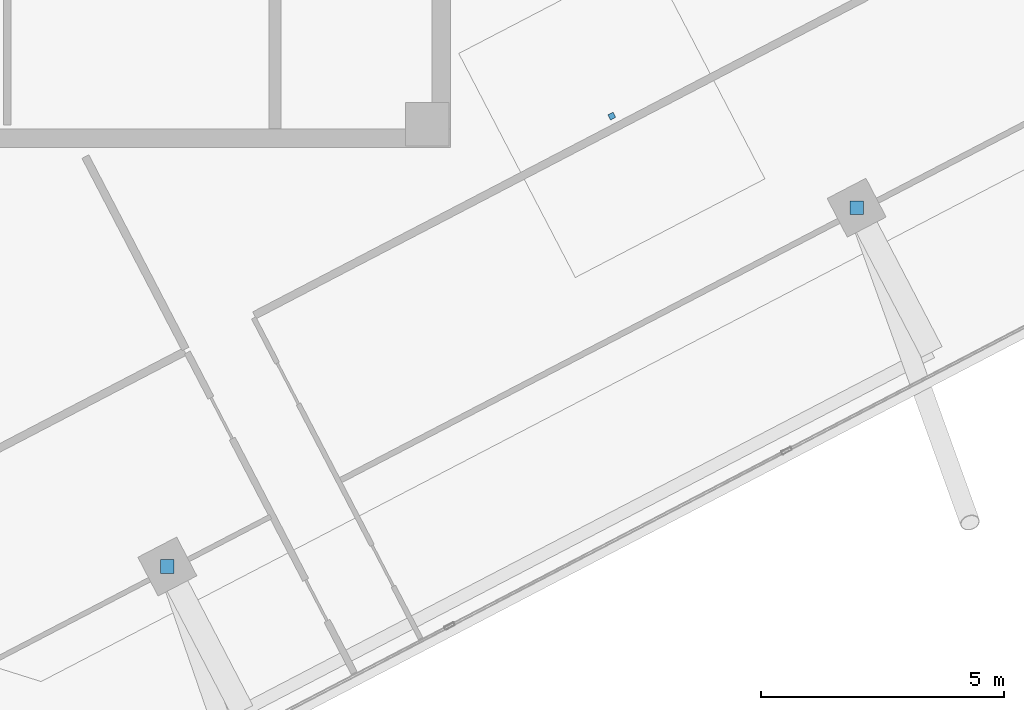
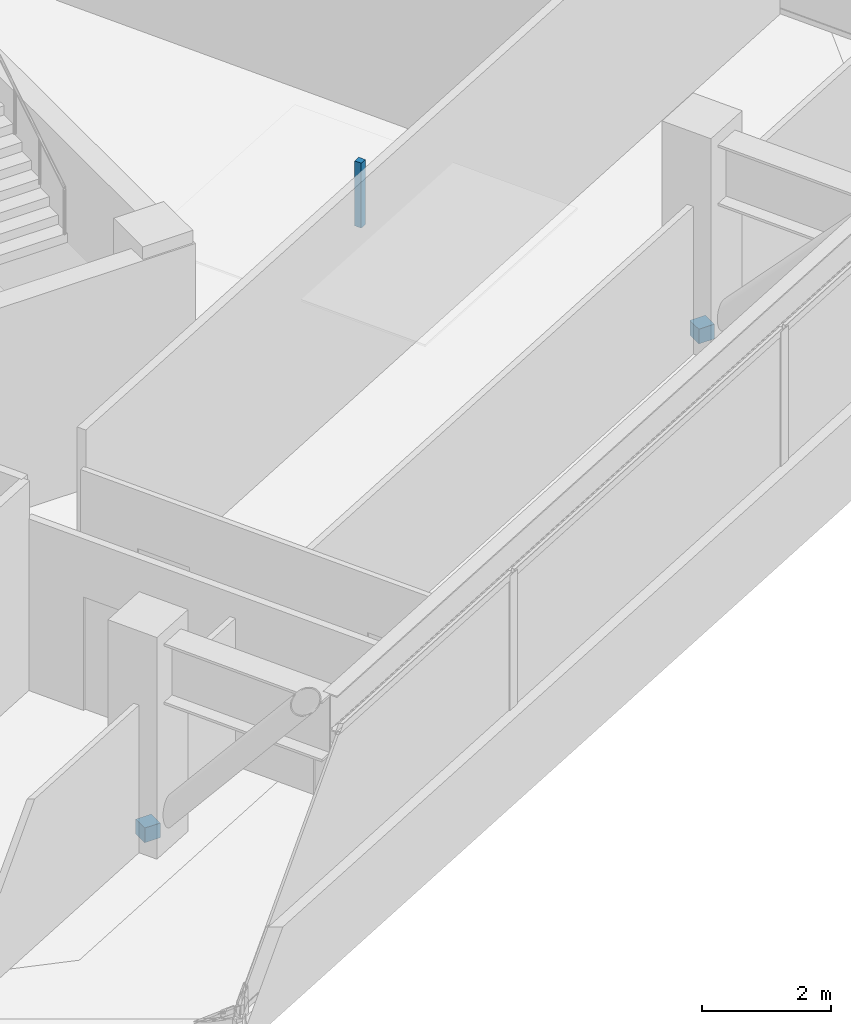
# One storey, part 14 of 17: 3 discrete accessories.
"""IFC4 building model written with IfcOpenShell, lengths in metres."""

from ifc_helpers import new_model, si_unit, direction, frame, origin, origin_2d, place, context, subcontext, project, spatial, rectangle, extrude, source, transform, mapped, material, type_object, element, save


model = new_model("IFC4")

# Units and contexts
model_context = context("Model", 3, precision=1e-05, world=origin(), true_north=direction((0.0, 1.0)))
body_context = subcontext(model_context, "Body", "Model", "MODEL_VIEW")
ifc_project = project(units=[si_unit("LENGTHUNIT", "METRE"), si_unit("AREAUNIT", "SQUARE_METRE"), si_unit("VOLUMEUNIT", "CUBIC_METRE"), si_unit("PLANEANGLEUNIT", "RADIAN"), si_unit("MASSUNIT", "GRAM", prefix="KILO")], contexts=[model_context])

# Site, building, storey
site_placement = place(None, origin())
site = spatial("IfcSite", under=ifc_project, at=site_placement, CompositionType="ELEMENT")
building_placement = place(site_placement, origin())
building = spatial("IfcBuilding", under=site, at=building_placement, Name="Torre Montelarca", CompositionType="ELEMENT")
storey_placement = place(building_placement, frame((0.0, 0.0, 332.39990234375)))
storey = spatial("IfcBuildingStorey", under=building, at=storey_placement, Name="L75", CompositionType="ELEMENT", Elevation=332.39990234375)

# Discrete accessories
ifc_material_1 = material(Name="Stainless steel AISI 316", Category="steel")
discrete_accessory_type_1 = type_object("IfcDiscreteAccessoryType", Name="ACC-BRACKET-SS", PredefinedType="BRACKET", material=ifc_material_1)
shared_shape_1 = source(origin(), body_context, "Body", "SweptSolid", [
    extrude(rectangle(XDim=0.280029296875, YDim=0.280029296875, at=origin_2d()), origin(), (0.0, 0.0, 1.0), 0.280029296875),
])
for number, where, z_axis, x_axis, name in (
    (1, (21.099365234375, 15.4443359375, 0.01025390625), (0.0, 0.0, 1.0), (1.0, 0.0, 0.0), "L77 Raker End Connection Bracket SKYLNG-E1-FT"),
    (2, (35.29150390625, 22.832275390625, 0.01025390625), (0.0, 0.0, 1.0), (1.0, 0.0, 0.0), "L77 Raker End Connection Bracket SKYLNG-E2-FT"),
):
    element("IfcDiscreteAccessory", number, at=place(storey_placement, frame(where, z_axis=z_axis, x_axis=x_axis)), inside=storey, type_object=discrete_accessory_type_1, Name=name, PredefinedType="BRACKET", context=body_context, shape_type="MappedRepresentation", body=[
        mapped(shared_shape_1, transform((0.0, 0.0, 0.0), scale=1.0)),
    ])
ifc_material_2 = material(Name="Galvanized steel suspension hanger", Category="steel")
discrete_accessory_type_2 = type_object("IfcDiscreteAccessoryType", Name="ACC-CEIL-HNG", PredefinedType="BRACKET", material=ifc_material_2)
shared_shape_2 = source(origin(), body_context, "Body", "SweptSolid", [
    extrude(rectangle(XDim=0.1201171875, YDim=0.1201171875, at=origin_2d()), origin(), (0.0, 0.0, 1.0), 1.22998046875),
])
discrete_accessory_placement = place(storey_placement, frame((30.251220703125, 24.718017578125, 2.75), z_axis=(0.0, 0.0, 1.0), x_axis=(-0.461748613235, 0.887010833178, 0.0)))
element("IfcDiscreteAccessory", 3, at=discrete_accessory_placement, inside=storey, type_object=discrete_accessory_type_2, Name="L75 Suspended Ceiling Hanger Bracket 01", PredefinedType="BRACKET", context=body_context, shape_type="MappedRepresentation", body=[
    mapped(shared_shape_2, transform((0.0, 0.0, 0.0), scale=1.0)),
])

save(model, "model.ifc")
